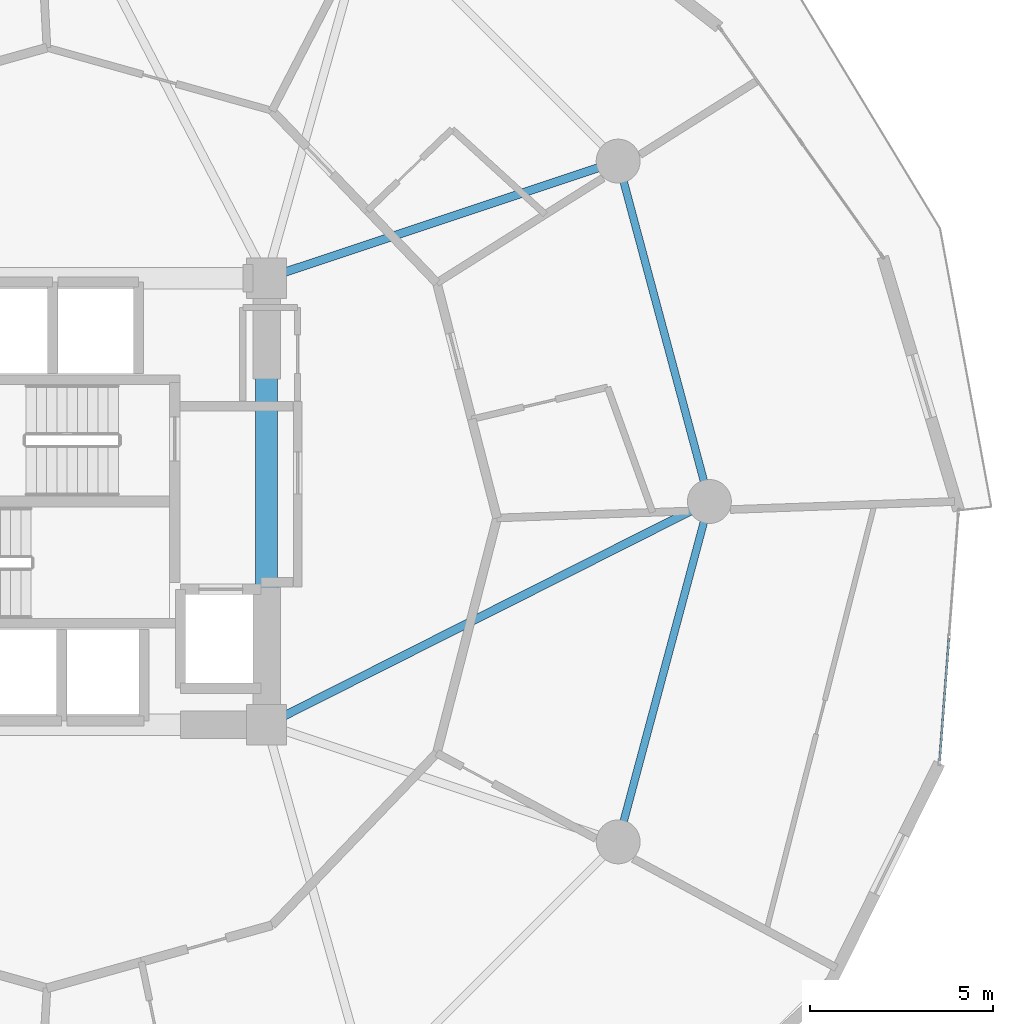
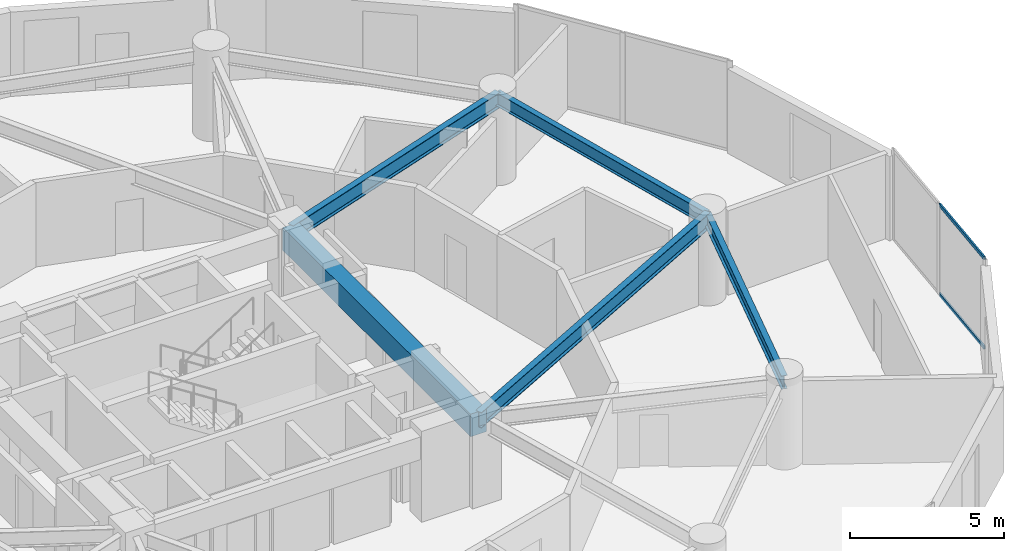
# One storey, part 13 of 25: 5 beams, 2 members, 1 element without a shape of its own.
"""IFC4 building model written with IfcOpenShell, lengths in metres."""

from ifc_helpers import new_model, si_unit, direction, frame, origin, origin_2d, place, context, subcontext, project, spatial, rectangle, hollow_rectangle, i_section, extrude, source, transform, mapped, material, layer, layer_set, material_profile, profile_set, type_object, element, aggregate, save


model = new_model("IFC4")

# Units and contexts
model_context = context("Model", 3, precision=1e-05, world=origin(), true_north=direction((0.0, 1.0)))
body_context = subcontext(model_context, "Body", "Model", "MODEL_VIEW")
ifc_project = project(units=[si_unit("LENGTHUNIT", "METRE"), si_unit("AREAUNIT", "SQUARE_METRE"), si_unit("VOLUMEUNIT", "CUBIC_METRE"), si_unit("PLANEANGLEUNIT", "RADIAN"), si_unit("MASSUNIT", "GRAM", prefix="KILO")], contexts=[model_context])

# Site, building, storey
site_placement = place(None, origin())
site = spatial("IfcSite", under=ifc_project, at=site_placement, CompositionType="ELEMENT")
building_placement = place(site_placement, origin())
building = spatial("IfcBuilding", under=site, at=building_placement, Name="Solvirekh Grand Hotel", CompositionType="ELEMENT")
storey_placement = place(building_placement, frame((0.0, 0.0, 60.800048828125)))
storey = spatial("IfcBuildingStorey", under=building, at=storey_placement, Name="L14", CompositionType="ELEMENT", Elevation=60.800048828125)

# Beams
ifc_material_1 = material(Name="Concrete C50/60", Category="concrete")
ifc_material_profile_1 = material_profile(ifc_material_1, rectangle(XDim=0.60009765625, YDim=0.89990234375, at=origin_2d()), Name="RC BEAM 600X900")
ifc_profile_set_1 = profile_set([ifc_material_profile_1], Name="Concrete C50/60")
beam_type_1 = type_object("IfcBeamType", Name="Beam_Core_RC900", PredefinedType="BEAM", material=ifc_profile_set_1)
beam_1_placement = place(storey_placement, frame((6.5, -6.10009765625, 2.889892578125), z_axis=(0.0, 1.0, 0.0), x_axis=(-1.0, 0.0, 0.0)))
element("IfcBeam", 1, at=beam_1_placement, inside=storey, type_object=beam_type_1, Name="L14 core coupling ring beam 2", PredefinedType="BEAM", context=body_context, shape_type="SweptSolid", body=[
    extrude(rectangle(XDim=0.60009765625, YDim=0.89990234375, at=origin_2d()), origin(), (0.0, 0.0, 1.0), 12.2001953125),
])
ifc_material_2 = material(Name="Steel S355", Category="steel")
ifc_material_profile_2 = material_profile(ifc_material_2, i_section(OverallWidth=0.22998046875, OverallDepth=0.615966796875, WebThickness=0.013916015625, FlangeThickness=0.02392578125, FilletRadius=0.014892578125, at=origin_2d()), Name="W610X174")
ifc_profile_set_2 = profile_set([ifc_material_profile_2], Name="Steel S355")
beam_type_2 = type_object("IfcBeamType", Name="Beam_Primary_W610H", PredefinedType="BEAM", material=ifc_profile_set_2)
beam_2_placement = place(storey_placement, frame((6.5, -6.10009765625, 3.031982421875), z_axis=(0.892944939011, 0.450165898191, 0.0), x_axis=(-0.450165898191, 0.892944939011, 0.0)))
element("IfcBeam", 2, at=beam_2_placement, inside=storey, type_object=beam_type_2, Name="L14 radial floor beam R01", PredefinedType="BEAM", context=body_context, shape_type="SweptSolid", body=[
    extrude(i_section(OverallWidth=0.22998046875, OverallDepth=0.615966796875, WebThickness=0.013916015625, FlangeThickness=0.02392578125, FilletRadius=0.014892578125, at=origin_2d()), origin(), (0.0, 0.0, 1.0), 13.55078125),
])
beam_3_placement = place(storey_placement, frame((6.5, 6.10009765625, 3.031982421875), z_axis=(0.948762825819, 0.315989082635, 0.0), x_axis=(-0.315989082635, 0.948762825819, 0.0)))
element("IfcBeam", 3, at=beam_3_placement, inside=storey, type_object=beam_type_2, Name="L14 radial floor beam R02", PredefinedType="BEAM", context=body_context, shape_type="SweptSolid", body=[
    extrude(i_section(OverallWidth=0.22998046875, OverallDepth=0.615966796875, WebThickness=0.013916015625, FlangeThickness=0.02392578125, FilletRadius=0.014892578125, at=origin_2d()), origin(), (0.0, 0.0, 1.0), 10.126708984375),
])
ifc_material_profile_3 = material_profile(ifc_material_2, i_section(OverallWidth=0.208984375, OverallDepth=0.532958984375, WebThickness=0.010009765625, FlangeThickness=0.014892578125, FilletRadius=0.013916015625, at=origin_2d()), Name="W530X92")
ifc_profile_set_3 = profile_set([ifc_material_profile_3], Name="Steel S355")
beam_type_3 = type_object("IfcBeamType", Name="Spandrel_Ring_W530", PredefinedType="SPANDREL", material=ifc_profile_set_3)
for number, where, z_axis, x_axis, name in (
    (4, (18.60009765625, 0.0, 3.072998046875), (-0.258842973314, 0.965919414426, 0.0), (-0.965919414426, -0.258842973314, 0.0), "L14 perimeter spandrel beam 1"),
    (5, (16.10791015625, -9.300048828125, 3.072998046875), (0.258842973314, 0.965919414426, 0.0), (-0.965919414426, 0.258842973314, 0.0), "L14 perimeter spandrel beam 12"),
):
    element("IfcBeam", number, at=place(storey_placement, frame(where, z_axis=z_axis, x_axis=x_axis)), inside=storey, type_object=beam_type_3, Name=name, PredefinedType="SPANDREL", context=body_context, shape_type="SweptSolid", body=[
        extrude(i_section(OverallWidth=0.208984375, OverallDepth=0.532958984375, WebThickness=0.010009765625, FlangeThickness=0.014892578125, FilletRadius=0.013916015625, at=origin_2d()), origin(), (0.0, 0.0, 1.0), 9.628173828125),
    ])

# Curtain wall, members
ifc_material_3 = material(Name="Anodized Bronze Aluminium 6063-T6", Category="aluminium")
ifc_layer = layer(ifc_material_3, 0.18994140625)
ifc_layer_set = layer_set([ifc_layer], Name="Anodized Bronze Aluminium 6063-T6")
curtain_wall_type = type_object("IfcCurtainWallType", Name="CW_Sys2_LowZoneFlushBronzeCW", PredefinedType="NOTDEFINED", material=ifc_layer_set)
curtain_wall_placement = place(storey_placement, origin())
curtain_wall = element("IfcCurtainWall", 6, at=curtain_wall_placement, inside=storey, type_object=curtain_wall_type, Name="L14 unitised bronze-glass curtain wall CW-L14-C01", PredefinedType="NOTDEFINED")
ifc_material_profile_4 = material_profile(ifc_material_3, hollow_rectangle(XDim=0.06005859375, YDim=0.135009765625, WallThickness=0.00390625, at=origin_2d()), Name="ALU RHS 135X60X4")
ifc_profile_set_4 = profile_set([ifc_material_profile_4], Name="Anodized Bronze Aluminium 6063-T6")
member_type = type_object("IfcMemberType", Name="CWTransom_Sys2", PredefinedType="USERDEFINED", material=ifc_profile_set_4)
shared_shape = source(origin(), body_context, "Body", "SweptSolid", [
    extrude(hollow_rectangle(XDim=0.06005859375, YDim=0.135009765625, WallThickness=0.00390625, at=origin_2d()), origin(), (0.0, 0.0, 1.0), 3.358154296875),
])
member_1_placement = place(storey_placement, frame((24.891357421875, -7.082275390625, 0.030029296875), z_axis=(0.075901450854, 0.997115324202, 0.0), x_axis=(-0.997115324202, 0.075901450854, 0.0)))
member_1 = element("IfcMember", 7, at=member_1_placement, type_object=member_type, Name="U02 transom 1.1", ObjectType="TRANSOM", PredefinedType="USERDEFINED", context=body_context, shape_type="MappedRepresentation", body=[
    mapped(shared_shape, transform((0.0, 0.0, 0.0), x_axis=(1.0, 0.0, 0.0), y_axis=(0.0, 1.0, 0.0), z_axis=(0.0, 0.0, 1.0), scale=1.0)),
])
member_2_placement = place(storey_placement, frame((24.891357421875, -7.082275390625, 3.570068359375), z_axis=(0.075901450854, 0.997115324202, 0.0), x_axis=(-0.997115324202, 0.075901450854, 0.0)))
member_2 = element("IfcMember", 8, at=member_2_placement, type_object=member_type, Name="U02 transom 1.2", ObjectType="TRANSOM", PredefinedType="USERDEFINED", context=body_context, shape_type="MappedRepresentation", body=[
    mapped(shared_shape, transform((0.0, 0.0, 0.0), x_axis=(1.0, 0.0, 0.0), y_axis=(0.0, 1.0, 0.0), z_axis=(0.0, 0.0, 1.0), scale=1.0)),
])
aggregate(curtain_wall, [member_1, member_2])

save(model, "model.ifc")
